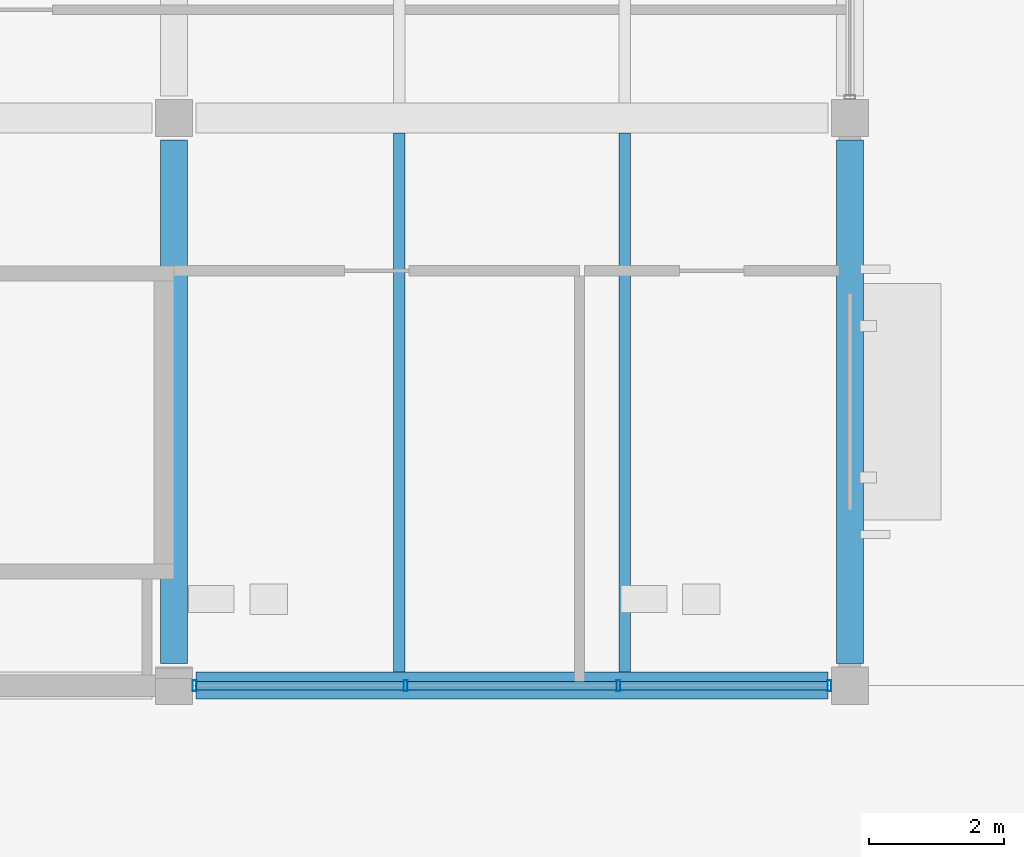
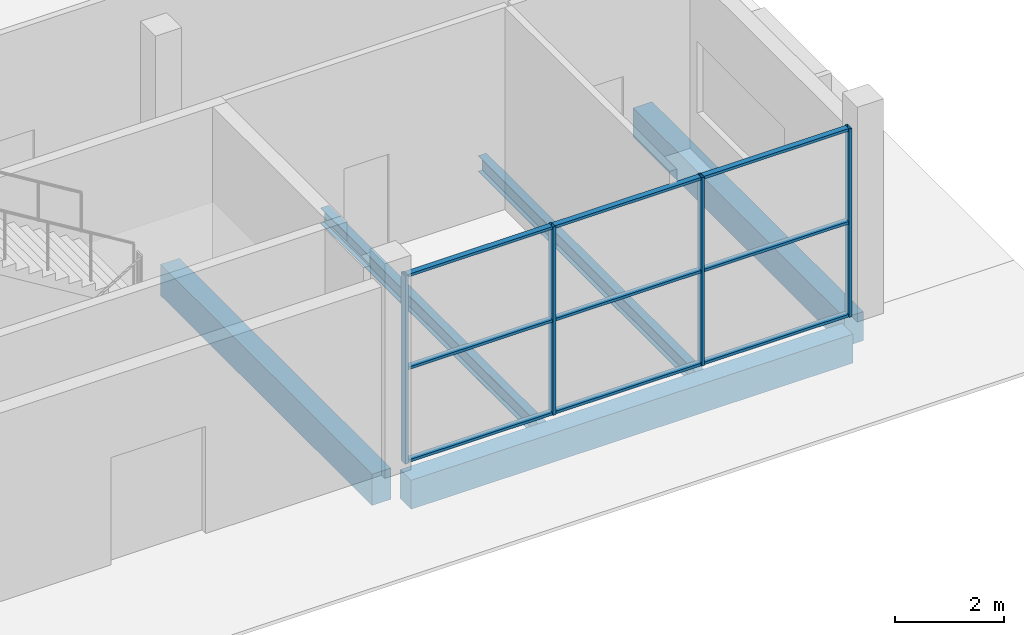
# One storey, part 63 of 130: 13 members, 5 beams, 1 element without a shape of its own.
"""IFC4 building model written with IfcOpenShell, lengths in metres."""

from ifc_helpers import new_model, si_unit, direction, frame, origin, origin_2d, place, context, subcontext, project, spatial, rectangle, hollow_rectangle, i_section, extrude, material, material_profile, profile_set, type_object, element, aggregate, save


model = new_model("IFC4")

# Units and contexts
model_context = context("Model", 3, precision=1e-05, world=origin(), true_north=direction((0.0, 1.0)))
body_context = subcontext(model_context, "Body", "Model", "MODEL_VIEW")
ifc_project = project(units=[si_unit("LENGTHUNIT", "METRE"), si_unit("AREAUNIT", "SQUARE_METRE"), si_unit("VOLUMEUNIT", "CUBIC_METRE"), si_unit("PLANEANGLEUNIT", "RADIAN"), si_unit("MASSUNIT", "GRAM", prefix="KILO"), si_unit("THERMODYNAMICTEMPERATUREUNIT", "KELVIN")], contexts=[model_context])

# Site, building, storey
site_placement = place(None, origin())
site = spatial("IfcSite", under=ifc_project, at=site_placement, CompositionType="ELEMENT")
building_placement = place(site_placement, origin())
building = spatial("IfcBuilding", under=site, at=building_placement, Name="Nduvali Passage Aquatics Centre", CompositionType="ELEMENT")
storey_placement = place(building_placement, origin())
storey = spatial("IfcBuildingStorey", under=building, at=storey_placement, Name="L00", CompositionType="ELEMENT", Elevation=0.0)

# Curtain wall, members
ifc_material_1 = material(Name="Aluminium EN AW-6063 T6", Category="aluminium")
curtain_wall_type = type_object("IfcCurtainWallType", Name="ENV-CW-PASS", PredefinedType="NOTDEFINED", material=ifc_material_1)
curtain_wall_placement = place(storey_placement, origin())
curtain_wall = element("IfcCurtainWall", 1, at=curtain_wall_placement, inside=storey, type_object=curtain_wall_type, Name="L00 South Pavilion CW 093", PredefinedType="NOTDEFINED")
ifc_material_profile_1 = material_profile(ifc_material_1, hollow_rectangle(XDim=0.06005859375, YDim=0.159912109375, WallThickness=0.00390625, at=origin_2d()), Name="ALU MULLION 60x160x4")
ifc_profile_set_1 = profile_set([ifc_material_profile_1], Name="Aluminium EN AW-6063 T6")
member_type_1 = type_object("IfcMemberType", Name="ENV-MEM-MUL60", PredefinedType="MULLION", material=ifc_profile_set_1)
member_1_placement = place(storey_placement, frame((158.304931640625, 25.199951171875, 0.0), z_axis=(0.0, 0.0, 1.0), x_axis=(1.0, 0.0, 0.0)))
member_1 = element("IfcMember", 2, at=member_1_placement, type_object=member_type_1, Name="South Pavilion CW Mullion 1", PredefinedType="MULLION", context=body_context, shape_type="SweptSolid", body=[
    extrude(hollow_rectangle(XDim=0.06005859375, YDim=0.159912109375, WallThickness=0.00390625, at=origin_2d()), origin(), (0.0, 0.0, 1.0), 4.216064453125),
])
member_2_placement = place(storey_placement, frame((161.425048828125, 25.199951171875, 0.0), z_axis=(0.0, 0.0, 1.0), x_axis=(1.0, 0.0, 0.0)))
member_2 = element("IfcMember", 3, at=member_2_placement, type_object=member_type_1, Name="South Pavilion CW Mullion 2", PredefinedType="MULLION", context=body_context, shape_type="SweptSolid", body=[
    extrude(hollow_rectangle(XDim=0.06005859375, YDim=0.159912109375, WallThickness=0.00390625, at=origin_2d()), origin(), (0.0, 0.0, 1.0), 4.216064453125),
])
member_3_placement = place(storey_placement, frame((164.574951171875, 25.199951171875, 0.0), z_axis=(0.0, 0.0, 1.0), x_axis=(1.0, 0.0, 0.0)))
member_3 = element("IfcMember", 4, at=member_3_placement, type_object=member_type_1, Name="South Pavilion CW Mullion 3", PredefinedType="MULLION", context=body_context, shape_type="SweptSolid", body=[
    extrude(hollow_rectangle(XDim=0.06005859375, YDim=0.159912109375, WallThickness=0.00390625, at=origin_2d()), origin(), (0.0, 0.0, 1.0), 4.216064453125),
])
member_4_placement = place(storey_placement, frame((167.695068359375, 25.199951171875, 0.0), z_axis=(0.0, 0.0, 1.0), x_axis=(1.0, 0.0, 0.0)))
member_4 = element("IfcMember", 5, at=member_4_placement, type_object=member_type_1, Name="South Pavilion CW Mullion 4", PredefinedType="MULLION", context=body_context, shape_type="SweptSolid", body=[
    extrude(hollow_rectangle(XDim=0.06005859375, YDim=0.159912109375, WallThickness=0.00390625, at=origin_2d()), origin(), (0.0, 0.0, 1.0), 4.216064453125),
])
ifc_material_profile_2 = material_profile(ifc_material_1, hollow_rectangle(XDim=0.1201171875, YDim=0.06005859375, WallThickness=0.00390625, at=origin_2d()), Name="ALU TRANSOM 120x60x4")
ifc_profile_set_2 = profile_set([ifc_material_profile_2], Name="Aluminium EN AW-6063 T6")
member_type_2 = type_object("IfcMemberType", Name="ENV-MEM-TRN60", PredefinedType="USERDEFINED", material=ifc_profile_set_2)
member_5_placement = place(storey_placement, frame((158.3349609375, 25.199951171875, 0.030029296875), z_axis=(1.0, 0.0, 0.0), x_axis=(0.0, 1.0, 0.0)))
member_5 = element("IfcMember", 6, at=member_5_placement, type_object=member_type_2, Name="South Pavilion CW Transom B1-R0", ObjectType="TRANSOM", PredefinedType="USERDEFINED", context=body_context, shape_type="SweptSolid", body=[
    extrude(hollow_rectangle(XDim=0.1201171875, YDim=0.06005859375, WallThickness=0.00390625, at=origin_2d()), origin(), (0.0, 0.0, 1.0), 3.06005859375),
])
member_6_placement = place(storey_placement, frame((158.3349609375, 25.199951171875, 2.10791015625), z_axis=(1.0, 0.0, 0.0), x_axis=(0.0, 1.0, 0.0)))
member_6 = element("IfcMember", 7, at=member_6_placement, type_object=member_type_2, Name="South Pavilion CW Transom B1-R1", ObjectType="TRANSOM", PredefinedType="USERDEFINED", context=body_context, shape_type="SweptSolid", body=[
    extrude(hollow_rectangle(XDim=0.1201171875, YDim=0.06005859375, WallThickness=0.00390625, at=origin_2d()), origin(), (0.0, 0.0, 1.0), 3.06005859375),
])
member_7_placement = place(storey_placement, frame((158.3349609375, 25.199951171875, 4.18603515625), z_axis=(1.0, 0.0, 0.0), x_axis=(0.0, 1.0, 0.0)))
member_7 = element("IfcMember", 8, at=member_7_placement, type_object=member_type_2, Name="South Pavilion CW Transom B1-R2", ObjectType="TRANSOM", PredefinedType="USERDEFINED", context=body_context, shape_type="SweptSolid", body=[
    extrude(hollow_rectangle(XDim=0.1201171875, YDim=0.06005859375, WallThickness=0.00390625, at=origin_2d()), origin(), (0.0, 0.0, 1.0), 3.06005859375),
])
member_8_placement = place(storey_placement, frame((161.455078125, 25.199951171875, 0.030029296875), z_axis=(1.0, 0.0, 0.0), x_axis=(0.0, 1.0, 0.0)))
member_8 = element("IfcMember", 9, at=member_8_placement, type_object=member_type_2, Name="South Pavilion CW Transom B2-R0", ObjectType="TRANSOM", PredefinedType="USERDEFINED", context=body_context, shape_type="SweptSolid", body=[
    extrude(hollow_rectangle(XDim=0.1201171875, YDim=0.06005859375, WallThickness=0.00390625, at=origin_2d()), origin(), (0.0, 0.0, 1.0), 3.08984375),
])
member_9_placement = place(storey_placement, frame((161.455078125, 25.199951171875, 2.10791015625), z_axis=(1.0, 0.0, 0.0), x_axis=(0.0, 1.0, 0.0)))
member_9 = element("IfcMember", 10, at=member_9_placement, type_object=member_type_2, Name="South Pavilion CW Transom B2-R1", ObjectType="TRANSOM", PredefinedType="USERDEFINED", context=body_context, shape_type="SweptSolid", body=[
    extrude(hollow_rectangle(XDim=0.1201171875, YDim=0.06005859375, WallThickness=0.00390625, at=origin_2d()), origin(), (0.0, 0.0, 1.0), 3.08984375),
])
member_10_placement = place(storey_placement, frame((161.455078125, 25.199951171875, 4.18603515625), z_axis=(1.0, 0.0, 0.0), x_axis=(0.0, 1.0, 0.0)))
member_10 = element("IfcMember", 11, at=member_10_placement, type_object=member_type_2, Name="South Pavilion CW Transom B2-R2", ObjectType="TRANSOM", PredefinedType="USERDEFINED", context=body_context, shape_type="SweptSolid", body=[
    extrude(hollow_rectangle(XDim=0.1201171875, YDim=0.06005859375, WallThickness=0.00390625, at=origin_2d()), origin(), (0.0, 0.0, 1.0), 3.08984375),
])
member_11_placement = place(storey_placement, frame((164.60498046875, 25.199951171875, 0.030029296875), z_axis=(1.0, 0.0, 0.0), x_axis=(0.0, 1.0, 0.0)))
member_11 = element("IfcMember", 12, at=member_11_placement, type_object=member_type_2, Name="South Pavilion CW Transom B3-R0", ObjectType="TRANSOM", PredefinedType="USERDEFINED", context=body_context, shape_type="SweptSolid", body=[
    extrude(hollow_rectangle(XDim=0.1201171875, YDim=0.06005859375, WallThickness=0.00390625, at=origin_2d()), origin(), (0.0, 0.0, 1.0), 3.06005859375),
])
member_12_placement = place(storey_placement, frame((164.60498046875, 25.199951171875, 2.10791015625), z_axis=(1.0, 0.0, 0.0), x_axis=(0.0, 1.0, 0.0)))
member_12 = element("IfcMember", 13, at=member_12_placement, type_object=member_type_2, Name="South Pavilion CW Transom B3-R1", ObjectType="TRANSOM", PredefinedType="USERDEFINED", context=body_context, shape_type="SweptSolid", body=[
    extrude(hollow_rectangle(XDim=0.1201171875, YDim=0.06005859375, WallThickness=0.00390625, at=origin_2d()), origin(), (0.0, 0.0, 1.0), 3.06005859375),
])
member_13_placement = place(storey_placement, frame((164.60498046875, 25.199951171875, 4.18603515625), z_axis=(1.0, 0.0, 0.0), x_axis=(0.0, 1.0, 0.0)))
member_13 = element("IfcMember", 14, at=member_13_placement, type_object=member_type_2, Name="South Pavilion CW Transom B3-R2", ObjectType="TRANSOM", PredefinedType="USERDEFINED", context=body_context, shape_type="SweptSolid", body=[
    extrude(hollow_rectangle(XDim=0.1201171875, YDim=0.06005859375, WallThickness=0.00390625, at=origin_2d()), origin(), (0.0, 0.0, 1.0), 3.06005859375),
])
aggregate(curtain_wall, [member_1, member_2, member_3, member_4, member_5, member_6, member_7, member_8, member_9, member_10, member_11, member_12, member_13])

# Beams
ifc_material_2 = material(Name="Concrete C40/50", Category="concrete")
ifc_material_profile_3 = material_profile(ifc_material_2, rectangle(XDim=0.39990234375, YDim=0.699951171875, at=origin_2d()), Name="RC 400x700")
ifc_profile_set_3 = profile_set([ifc_material_profile_3], Name="Concrete C40/50")
beam_type_1 = type_object("IfcBeamType", Name="STR-BM-RC4070", PredefinedType="BEAM", material=ifc_profile_set_3)
beam_1_placement = place(storey_placement, frame((158.0, 25.52490234375, -0.64990234375), z_axis=(0.0, 1.0, 0.0), x_axis=(-1.0, 0.0, 0.0)))
element("IfcBeam", 15, at=beam_1_placement, inside=storey, type_object=beam_type_1, Name="L00 Primary Y-Girder B3A-0239", PredefinedType="BEAM", context=body_context, shape_type="SweptSolid", body=[
    extrude(rectangle(XDim=0.39990234375, YDim=0.699951171875, at=origin_2d()), origin(), (0.0, 0.0, 1.0), 7.75),
])
ifc_material_3 = material(Name="Steel S355", Category="steel")
ifc_material_profile_4 = material_profile(ifc_material_3, i_section(OverallWidth=0.172119140625, OverallDepth=0.35791015625, WebThickness=0.008056640625, FlangeThickness=0.012939453125, FilletRadius=0.01025390625, at=origin_2d()), Name="UKB 356x171x57")
ifc_profile_set_4 = profile_set([ifc_material_profile_4], Name="Steel S355")
beam_type_2 = type_object("IfcBeamType", Name="STR-JST-UKB356", PredefinedType="JOIST", material=ifc_profile_set_4)
for number, where, z_axis, x_axis, name in (
    (16, (161.333251953125, 25.39990234375, -0.48291015625), (0.0, 1.0, 0.0), (-1.0, 0.0, 0.0), "L00 Secondary Joist J2-0305"),
    (17, (164.666748046875, 25.39990234375, -0.48291015625), (0.0, 1.0, 0.0), (-1.0, 0.0, 0.0), "L00 Secondary Joist J2-0306"),
):
    element("IfcBeam", number, at=place(storey_placement, frame(where, z_axis=z_axis, x_axis=x_axis)), inside=storey, type_object=beam_type_2, Name=name, PredefinedType="JOIST", context=body_context, shape_type="SweptSolid", body=[
        extrude(i_section(OverallWidth=0.172119140625, OverallDepth=0.35791015625, WebThickness=0.008056640625, FlangeThickness=0.012939453125, FilletRadius=0.01025390625, at=origin_2d()), origin(), (0.0, 0.0, 1.0), 7.97509765625),
    ])
ifc_material_profile_5 = material_profile(ifc_material_2, rectangle(XDim=0.39990234375, YDim=0.64990234375, at=origin_2d()), Name="RC 400x650")
ifc_profile_set_5 = profile_set([ifc_material_profile_5], Name="Concrete C40/50")
beam_type_3 = type_object("IfcBeamType", Name="STR-SPN-RC4065-EXT", PredefinedType="SPANDREL", material=ifc_profile_set_5)
beam_2_placement = place(storey_placement, frame((158.324951171875, 25.199951171875, -0.625), z_axis=(1.0, 0.0, 0.0), x_axis=(0.0, 1.0, 0.0)))
element("IfcBeam", 18, at=beam_2_placement, inside=storey, type_object=beam_type_3, Name="L00 Primary X-Girder SP1E-0024", PredefinedType="SPANDREL", context=body_context, shape_type="SweptSolid", body=[
    extrude(rectangle(XDim=0.39990234375, YDim=0.64990234375, at=origin_2d()), origin(), (0.0, 0.0, 1.0), 9.35009765625),
])
beam_3_placement = place(storey_placement, frame((168.0, 25.52490234375, -0.625), z_axis=(0.0, 1.0, 0.0), x_axis=(-1.0, 0.0, 0.0)))
element("IfcBeam", 19, at=beam_3_placement, inside=storey, type_object=beam_type_3, Name="L00 Primary Y-Girder SP1E-0247", PredefinedType="SPANDREL", context=body_context, shape_type="SweptSolid", body=[
    extrude(rectangle(XDim=0.39990234375, YDim=0.64990234375, at=origin_2d()), origin(), (0.0, 0.0, 1.0), 7.75),
])

save(model, "model.ifc")
